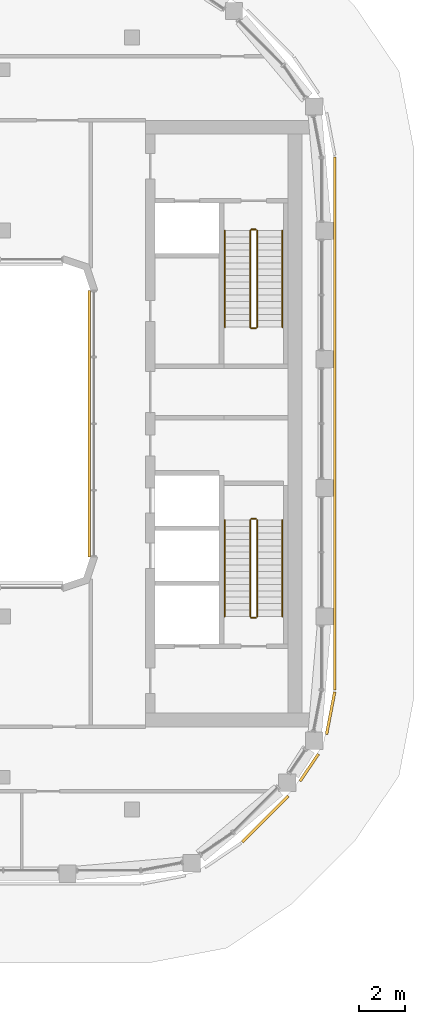
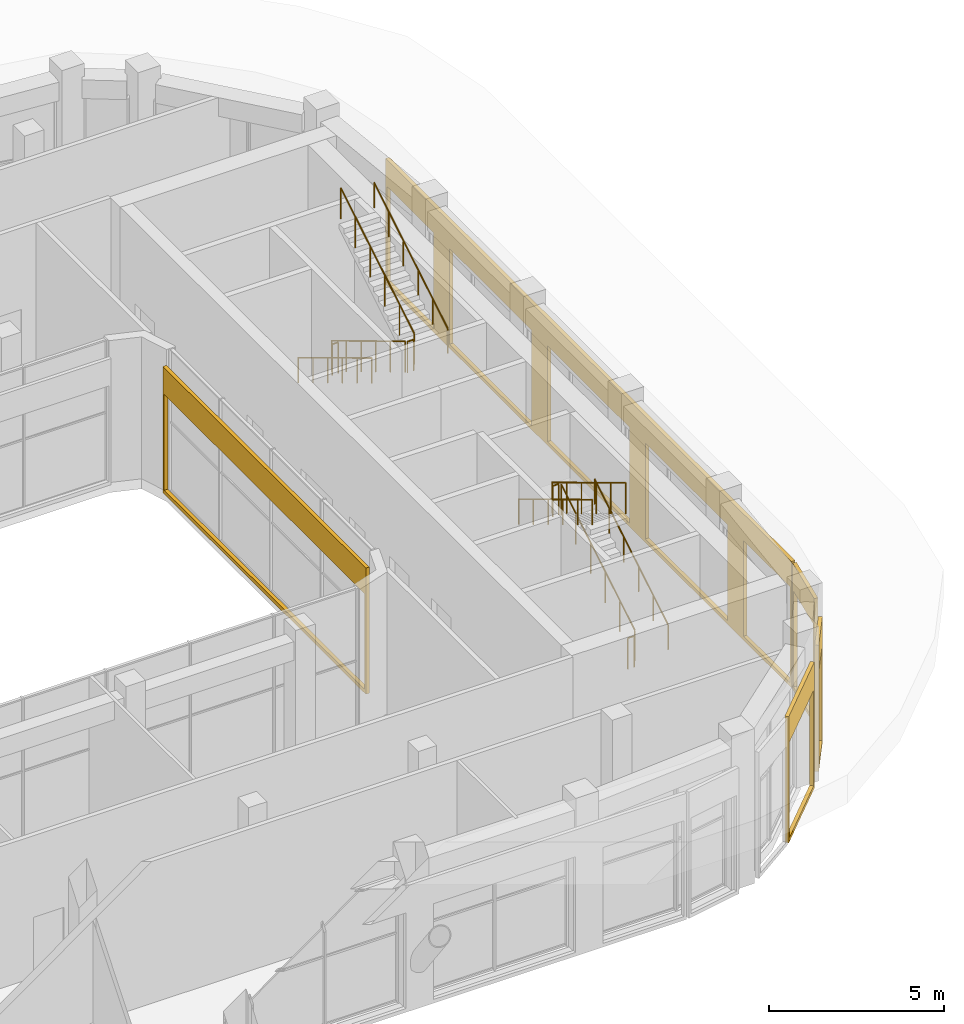
# One storey, part 23 of 24: 12 railings, 5 coverings.
"""IFC4 building model written with IfcOpenShell, lengths in metres."""

from ifc_helpers import new_model, si_unit, direction, frame, origin, origin_2d, place, context, subcontext, project, spatial, polyline, circle, outline, extrude, material, layer, layer_set, type_object, element, save


model = new_model("IFC4")

# Units and contexts
model_context = context("Model", 3, precision=1e-05, world=origin(), true_north=direction((0.0, 1.0)))
body_context = subcontext(model_context, "Body", "Model", "MODEL_VIEW")
ifc_project = project(units=[si_unit("LENGTHUNIT", "METRE"), si_unit("AREAUNIT", "SQUARE_METRE"), si_unit("VOLUMEUNIT", "CUBIC_METRE"), si_unit("PLANEANGLEUNIT", "RADIAN"), si_unit("MASSUNIT", "GRAM", prefix="KILO")], contexts=[model_context])

# Site, building, storey
site_placement = place(None, origin())
site = spatial("IfcSite", under=ifc_project, at=site_placement, CompositionType="ELEMENT")
building_placement = place(site_placement, origin())
building = spatial("IfcBuilding", under=site, at=building_placement, Name="Kiln Ring Residences", CompositionType="ELEMENT")
storey_placement = place(building_placement, frame((0.0, 0.0, 283.699951171875)))
storey = spatial("IfcBuildingStorey", under=building, at=storey_placement, Name="L74", CompositionType="ELEMENT", Elevation=283.699951171875)

# Railings
ifc_material_1 = material(Name="Stainless steel", Category="steel")
railing_type_1 = type_object("IfcRailingType", Name="CORE-STAIR-GUARD", PredefinedType="GUARDRAIL", material=ifc_material_1)
railing_1_placement = place(storey_placement, frame((21.949951171875, 8.39990234375, 0.168701171875)))
element("IfcRailing", 1, at=railing_1_placement, inside=storey, type_object=railing_type_1, Name="L74 E-STN stair guard 1", PredefinedType="GUARDRAIL", context=body_context, shape_type="SweptSolid", body=[
    extrude(circle(Radius=0.02392578125, at=origin_2d()), frame((0.0, 0.0, 1.076171875), z_axis=(0.0, -0.856476492594, 0.516186030065), x_axis=(1.0, 0.0, 0.0)), (0.0, 0.0, 1.0), 4.90380859375),
    extrude(circle(Radius=0.02099609375, at=origin_2d()), origin(), (0.0, 0.0, 1.0), 1.052001953125),
    extrude(circle(Radius=0.02099609375, at=origin_2d()), frame((0.0, -0.840087890625, 0.50634765625)), (0.0, 0.0, 1.0), 1.052001953125),
    extrude(circle(Radius=0.02099609375, at=origin_2d()), frame((0.0, -1.679931640625, 1.012451171875)), (0.0, 0.0, 1.0), 1.052001953125),
    extrude(circle(Radius=0.02099609375, at=origin_2d()), frame((0.0, -2.52001953125, 1.518798828125)), (0.0, 0.0, 1.0), 1.052001953125),
    extrude(circle(Radius=0.02099609375, at=origin_2d()), frame((0.0, -3.35986328125, 2.02490234375)), (0.0, 0.0, 1.0), 1.052001953125),
    extrude(circle(Radius=0.02099609375, at=origin_2d()), frame((0.0, -4.199951171875, 2.53125)), (0.0, 0.0, 1.0), 1.052001953125),
])
railing_2_placement = place(storey_placement, frame((22.0, 4.14990234375, 2.699951171875)))
element("IfcRailing", 2, at=railing_2_placement, inside=storey, type_object=railing_type_1, Name="L74 E-STN stair guard 2", PredefinedType="GUARDRAIL", context=body_context, shape_type="SweptSolid", body=[
    extrude(circle(Radius=0.02392578125, at=origin_2d()), frame((0.0, 0.0, 1.076171875), z_axis=(1.0, 0.0, 0.0), x_axis=(0.0, 1.0, 0.0)), (0.0, 0.0, 1.0), 0.199951171875),
    extrude(circle(Radius=0.02099609375, at=origin_2d()), origin(), (0.0, 0.0, 1.0), 1.052001953125),
    extrude(circle(Radius=0.02099609375, at=origin_2d()), frame((0.199951171875, 0.0, 0.0)), (0.0, 0.0, 1.0), 1.052001953125),
])
railing_3_placement = place(storey_placement, frame((22.25, 4.199951171875, 2.868896484375)))
element("IfcRailing", 3, at=railing_3_placement, inside=storey, type_object=railing_type_1, Name="L74 E-STN stair guard 3", PredefinedType="GUARDRAIL", context=body_context, shape_type="SweptSolid", body=[
    extrude(circle(Radius=0.02392578125, at=origin_2d()), frame((0.0, 0.0, 1.076171875), z_axis=(0.0, 0.856476492594, 0.516186030065), x_axis=(-1.0, 0.0, 0.0)), (0.0, 0.0, 1.0), 4.90380859375),
    extrude(circle(Radius=0.02099609375, at=origin_2d()), origin(), (0.0, 0.0, 1.0), 1.052001953125),
    extrude(circle(Radius=0.02099609375, at=origin_2d()), frame((0.0, 0.840087890625, 0.50634765625)), (0.0, 0.0, 1.0), 1.052001953125),
    extrude(circle(Radius=0.02099609375, at=origin_2d()), frame((0.0, 1.679931640625, 1.012451171875)), (0.0, 0.0, 1.0), 1.052001953125),
    extrude(circle(Radius=0.02099609375, at=origin_2d()), frame((0.0, 2.52001953125, 1.518798828125)), (0.0, 0.0, 1.0), 1.052001953125),
    extrude(circle(Radius=0.02099609375, at=origin_2d()), frame((0.0, 3.35986328125, 2.02490234375)), (0.0, 0.0, 1.0), 1.052001953125),
    extrude(circle(Radius=0.02099609375, at=origin_2d()), frame((0.0, 4.199951171875, 2.53125)), (0.0, 0.0, 1.0), 1.052001953125),
])
railing_4_placement = place(storey_placement, frame((22.0, 8.449951171875, 0.0)))
element("IfcRailing", 4, at=railing_4_placement, inside=storey, type_object=railing_type_1, Name="L74 E-STN stair guard 4", PredefinedType="GUARDRAIL", context=body_context, shape_type="SweptSolid", body=[
    extrude(circle(Radius=0.02392578125, at=origin_2d()), frame((0.0, 0.0, 1.076171875), z_axis=(1.0, 0.0, 0.0), x_axis=(0.0, 1.0, 0.0)), (0.0, 0.0, 1.0), 0.199951171875),
    extrude(circle(Radius=0.02099609375, at=origin_2d()), origin(), (0.0, 0.0, 1.0), 1.052001953125),
    extrude(circle(Radius=0.02099609375, at=origin_2d()), frame((0.199951171875, 0.0, 0.0)), (0.0, 0.0, 1.0), 1.052001953125),
])
railing_5_placement = place(storey_placement, frame((22.25, -8.39990234375, 0.168701171875)))
element("IfcRailing", 5, at=railing_5_placement, inside=storey, type_object=railing_type_1, Name="L74 E-STS stair guard 1", PredefinedType="GUARDRAIL", context=body_context, shape_type="SweptSolid", body=[
    extrude(circle(Radius=0.02392578125, at=origin_2d()), frame((0.0, 0.0, 1.076171875), z_axis=(0.0, 0.856476492594, 0.516186030065), x_axis=(-1.0, 0.0, 0.0)), (0.0, 0.0, 1.0), 4.90380859375),
    extrude(circle(Radius=0.02099609375, at=origin_2d()), origin(), (0.0, 0.0, 1.0), 1.052001953125),
    extrude(circle(Radius=0.02099609375, at=origin_2d()), frame((0.0, 0.840087890625, 0.50634765625)), (0.0, 0.0, 1.0), 1.052001953125),
    extrude(circle(Radius=0.02099609375, at=origin_2d()), frame((0.0, 1.679931640625, 1.012451171875)), (0.0, 0.0, 1.0), 1.052001953125),
    extrude(circle(Radius=0.02099609375, at=origin_2d()), frame((0.0, 2.52001953125, 1.518798828125)), (0.0, 0.0, 1.0), 1.052001953125),
    extrude(circle(Radius=0.02099609375, at=origin_2d()), frame((0.0, 3.35986328125, 2.02490234375)), (0.0, 0.0, 1.0), 1.052001953125),
    extrude(circle(Radius=0.02099609375, at=origin_2d()), frame((0.0, 4.199951171875, 2.53125)), (0.0, 0.0, 1.0), 1.052001953125),
])
railing_6_placement = place(storey_placement, frame((22.199951171875, -4.14990234375, 2.699951171875)))
element("IfcRailing", 6, at=railing_6_placement, inside=storey, type_object=railing_type_1, Name="L74 E-STS stair guard 2", PredefinedType="GUARDRAIL", context=body_context, shape_type="SweptSolid", body=[
    extrude(circle(Radius=0.02392578125, at=origin_2d()), frame((0.0, 0.0, 1.076171875), z_axis=(-1.0, 0.0, 0.0), x_axis=(0.0, -1.0, 0.0)), (0.0, 0.0, 1.0), 0.199951171875),
    extrude(circle(Radius=0.02099609375, at=origin_2d()), origin(), (0.0, 0.0, 1.0), 1.052001953125),
    extrude(circle(Radius=0.02099609375, at=origin_2d()), frame((-0.199951171875, 0.0, 0.0)), (0.0, 0.0, 1.0), 1.052001953125),
])
railing_7_placement = place(storey_placement, frame((21.949951171875, -4.199951171875, 2.868896484375)))
element("IfcRailing", 7, at=railing_7_placement, inside=storey, type_object=railing_type_1, Name="L74 E-STS stair guard 3", PredefinedType="GUARDRAIL", context=body_context, shape_type="SweptSolid", body=[
    extrude(circle(Radius=0.02392578125, at=origin_2d()), frame((0.0, 0.0, 1.076171875), z_axis=(0.0, -0.856476492594, 0.516186030065), x_axis=(1.0, 0.0, 0.0)), (0.0, 0.0, 1.0), 4.90380859375),
    extrude(circle(Radius=0.02099609375, at=origin_2d()), origin(), (0.0, 0.0, 1.0), 1.052001953125),
    extrude(circle(Radius=0.02099609375, at=origin_2d()), frame((0.0, -0.840087890625, 0.50634765625)), (0.0, 0.0, 1.0), 1.052001953125),
    extrude(circle(Radius=0.02099609375, at=origin_2d()), frame((0.0, -1.679931640625, 1.012451171875)), (0.0, 0.0, 1.0), 1.052001953125),
    extrude(circle(Radius=0.02099609375, at=origin_2d()), frame((0.0, -2.52001953125, 1.518798828125)), (0.0, 0.0, 1.0), 1.052001953125),
    extrude(circle(Radius=0.02099609375, at=origin_2d()), frame((0.0, -3.35986328125, 2.02490234375)), (0.0, 0.0, 1.0), 1.052001953125),
    extrude(circle(Radius=0.02099609375, at=origin_2d()), frame((0.0, -4.199951171875, 2.53125)), (0.0, 0.0, 1.0), 1.052001953125),
])
railing_8_placement = place(storey_placement, frame((22.199951171875, -8.449951171875, 0.0)))
element("IfcRailing", 8, at=railing_8_placement, inside=storey, type_object=railing_type_1, Name="L74 E-STS stair guard 4", PredefinedType="GUARDRAIL", context=body_context, shape_type="SweptSolid", body=[
    extrude(circle(Radius=0.02392578125, at=origin_2d()), frame((0.0, 0.0, 1.076171875), z_axis=(-1.0, 0.0, 0.0), x_axis=(0.0, -1.0, 0.0)), (0.0, 0.0, 1.0), 0.199951171875),
    extrude(circle(Radius=0.02099609375, at=origin_2d()), origin(), (0.0, 0.0, 1.0), 1.052001953125),
    extrude(circle(Radius=0.02099609375, at=origin_2d()), frame((-0.199951171875, 0.0, 0.0)), (0.0, 0.0, 1.0), 1.052001953125),
])
ifc_material_2 = material(Name="Stainless steel", Category="steel")
railing_type_2 = type_object("IfcRailingType", Name="CORE-STAIR-HANDRAIL", PredefinedType="HANDRAIL", material=ifc_material_2)
railing_9_placement = place(storey_placement, frame((20.85009765625, 8.39990234375, 0.168701171875)))
element("IfcRailing", 9, at=railing_9_placement, inside=storey, type_object=railing_type_2, Name="L74 E-STN stair handrail 1", PredefinedType="HANDRAIL", context=body_context, shape_type="SweptSolid", body=[
    extrude(circle(Radius=0.02392578125, at=origin_2d()), frame((0.0, 0.0, 0.8759765625), z_axis=(0.0, -0.856476492594, 0.516186030065), x_axis=(1.0, 0.0, 0.0)), (0.0, 0.0, 1.0), 4.90380859375),
    extrude(circle(Radius=0.02099609375, at=origin_2d()), origin(), (0.0, 0.0, 1.0), 0.851806640625),
    extrude(circle(Radius=0.02099609375, at=origin_2d()), frame((0.0, -0.840087890625, 0.50634765625)), (0.0, 0.0, 1.0), 0.851806640625),
    extrude(circle(Radius=0.02099609375, at=origin_2d()), frame((0.0, -1.679931640625, 1.012451171875)), (0.0, 0.0, 1.0), 0.851806640625),
    extrude(circle(Radius=0.02099609375, at=origin_2d()), frame((0.0, -2.52001953125, 1.518798828125)), (0.0, 0.0, 1.0), 0.851806640625),
    extrude(circle(Radius=0.02099609375, at=origin_2d()), frame((0.0, -3.35986328125, 2.02490234375)), (0.0, 0.0, 1.0), 0.851806640625),
    extrude(circle(Radius=0.02099609375, at=origin_2d()), frame((0.0, -4.199951171875, 2.53125)), (0.0, 0.0, 1.0), 0.851806640625),
])
for number, where, name in (
    (10, (23.35009765625, 4.199951171875, 2.868896484375), "L74 E-STN stair handrail 2"),
    (11, (23.35009765625, -8.39990234375, 0.168701171875), "L74 E-STS stair handrail 1"),
):
    element("IfcRailing", number, at=place(storey_placement, frame(where)), inside=storey, type_object=railing_type_2, Name=name, PredefinedType="HANDRAIL", context=body_context, shape_type="SweptSolid", body=[
        extrude(circle(Radius=0.02392578125, at=origin_2d()), frame((0.0, 0.0, 0.8759765625), z_axis=(0.0, 0.856476492594, 0.516186030065), x_axis=(-1.0, 0.0, 0.0)), (0.0, 0.0, 1.0), 4.90380859375),
        extrude(circle(Radius=0.02099609375, at=origin_2d()), origin(), (0.0, 0.0, 1.0), 0.851806640625),
        extrude(circle(Radius=0.02099609375, at=origin_2d()), frame((0.0, 0.840087890625, 0.50634765625)), (0.0, 0.0, 1.0), 0.851806640625),
        extrude(circle(Radius=0.02099609375, at=origin_2d()), frame((0.0, 1.679931640625, 1.012451171875)), (0.0, 0.0, 1.0), 0.851806640625),
        extrude(circle(Radius=0.02099609375, at=origin_2d()), frame((0.0, 2.52001953125, 1.518798828125)), (0.0, 0.0, 1.0), 0.851806640625),
        extrude(circle(Radius=0.02099609375, at=origin_2d()), frame((0.0, 3.35986328125, 2.02490234375)), (0.0, 0.0, 1.0), 0.851806640625),
        extrude(circle(Radius=0.02099609375, at=origin_2d()), frame((0.0, 4.199951171875, 2.53125)), (0.0, 0.0, 1.0), 0.851806640625),
    ])
railing_10_placement = place(storey_placement, frame((20.85009765625, -4.199951171875, 2.868896484375)))
element("IfcRailing", 12, at=railing_10_placement, inside=storey, type_object=railing_type_2, Name="L74 E-STS stair handrail 2", PredefinedType="HANDRAIL", context=body_context, shape_type="SweptSolid", body=[
    extrude(circle(Radius=0.02392578125, at=origin_2d()), frame((0.0, 0.0, 0.8759765625), z_axis=(0.0, -0.856476492594, 0.516186030065), x_axis=(1.0, 0.0, 0.0)), (0.0, 0.0, 1.0), 4.90380859375),
    extrude(circle(Radius=0.02099609375, at=origin_2d()), origin(), (0.0, 0.0, 1.0), 0.851806640625),
    extrude(circle(Radius=0.02099609375, at=origin_2d()), frame((0.0, -0.840087890625, 0.50634765625)), (0.0, 0.0, 1.0), 0.851806640625),
    extrude(circle(Radius=0.02099609375, at=origin_2d()), frame((0.0, -1.679931640625, 1.012451171875)), (0.0, 0.0, 1.0), 0.851806640625),
    extrude(circle(Radius=0.02099609375, at=origin_2d()), frame((0.0, -2.52001953125, 1.518798828125)), (0.0, 0.0, 1.0), 0.851806640625),
    extrude(circle(Radius=0.02099609375, at=origin_2d()), frame((0.0, -3.35986328125, 2.02490234375)), (0.0, 0.0, 1.0), 0.851806640625),
    extrude(circle(Radius=0.02099609375, at=origin_2d()), frame((0.0, -4.199951171875, 2.53125)), (0.0, 0.0, 1.0), 0.851806640625),
])

# Coverings
ifc_material_3 = material(Name="Brick masonry, dark clay brick", Category="masonry")
ifc_layer = layer(ifc_material_3, 0.1201171875)
ifc_layer_set = layer_set([ifc_layer], Name="RAINSCREEN PANEL 120")
covering_type = type_object("IfcCoveringType", Name="RAINSCREEN PANEL 120", PredefinedType="CLADDING", material=ifc_layer_set)
covering_1_placement = place(storey_placement, frame((21.604736328125, -18.21044921875, 0.0), z_axis=(0.0, 0.0, 1.0), x_axis=(0.707106781187, 0.707106781187, 0.0)))
element("IfcCovering", 13, at=covering_1_placement, inside=storey, type_object=covering_type, Name="RAINSCREEN L74", PredefinedType="CLADDING", context=body_context, shape_type="SweptSolid", body=[
    extrude(outline(polyline([(0.0, 0.0), (2.824951171875, 0.0), (2.824951171875, 4.400146484375), (0.0, 4.400146484375), (0.0, 0.0)]), holes=[polyline([(0.080078125, 3.469970703125), (0.080078125, 0.130126953125), (2.7451171875, 0.130126953125), (2.7451171875, 3.469970703125), (0.080078125, 3.469970703125)])]), frame((0.0, 0.06005859375, 0.0), z_axis=(0.0, -1.0, 0.0), x_axis=(1.0, 0.0, 0.0)), (0.0, 0.0, 1.0), 0.1201171875),
])
covering_2_placement = place(storey_placement, frame((24.117919921875, -15.566162109375, 0.0), z_axis=(0.0, 0.0, 1.0), x_axis=(0.562099454787, 0.827069648173, 0.0)))
element("IfcCovering", 14, at=covering_2_placement, inside=storey, type_object=covering_type, Name="RAINSCREEN L74", PredefinedType="CLADDING", context=body_context, shape_type="SweptSolid", body=[
    extrude(outline(polyline([(0.0, 0.0), (1.427001953125, 0.0), (1.427001953125, 4.400146484375), (0.0, 4.400146484375), (0.0, 0.0)]), holes=[polyline([(0.080078125, 3.469970703125), (0.080078125, 0.130126953125), (1.34716796875, 0.130126953125), (1.34716796875, 3.469970703125), (0.080078125, 3.469970703125)])]), frame((0.0, 0.06005859375, 0.0), z_axis=(0.0, -1.0, 0.0), x_axis=(1.0, 0.0, 0.0)), (0.0, 0.0, 1.0), 0.1201171875),
])
covering_3_placement = place(storey_placement, frame((25.27490234375, -13.529296875, 0.0), z_axis=(0.0, 0.0, 1.0), x_axis=(0.187273123953, 0.982307883021, 0.0)))
element("IfcCovering", 15, at=covering_3_placement, inside=storey, type_object=covering_type, Name="RAINSCREEN L74", PredefinedType="CLADDING", context=body_context, shape_type="SweptSolid", body=[
    extrude(outline(polyline([(0.0, 0.0), (1.881103515625, 0.0), (1.881103515625, 4.400146484375), (0.0, 4.400146484375), (0.0, 0.0)]), holes=[polyline([(0.080078125, 3.469970703125), (0.080078125, 0.130126953125), (1.801025390625, 0.130126953125), (1.801025390625, 3.469970703125), (0.080078125, 3.469970703125)])]), frame((0.0, 0.06005859375, 0.0), z_axis=(0.0, -1.0, 0.0), x_axis=(1.0, 0.0, 0.0)), (0.0, 0.0, 1.0), 0.1201171875),
])
covering_4_placement = place(storey_placement, frame((25.635009765625, -11.60009765625, 0.0), z_axis=(0.0, 0.0, 1.0), x_axis=(0.0, 1.0, 0.0)))
element("IfcCovering", 16, at=covering_4_placement, inside=storey, type_object=covering_type, Name="RAINSCREEN L74", PredefinedType="CLADDING", context=body_context, shape_type="SweptSolid", body=[
    extrude(outline(polyline([(0.0, 0.0), (23.199951171875, 0.0), (23.199951171875, 4.400146484375), (0.0, 4.400146484375), (0.0, 0.0)]), holes=[polyline([(2.7451171875, 0.130126953125), (2.7451171875, 3.469970703125), (0.080078125, 3.469970703125), (0.080078125, 0.130126953125), (2.7451171875, 0.130126953125)]), polyline([(8.344970703125, 0.130126953125), (8.344970703125, 3.469970703125), (3.655029296875, 3.469970703125), (3.655029296875, 0.130126953125), (8.344970703125, 0.130126953125)]), polyline([(13.945068359375, 0.130126953125), (13.945068359375, 3.469970703125), (9.2548828125, 3.469970703125), (9.2548828125, 0.130126953125), (13.945068359375, 0.130126953125)]), polyline([(14.85498046875, 0.130126953125), (19.544921875, 0.130126953125), (19.544921875, 3.469970703125), (14.85498046875, 3.469970703125), (14.85498046875, 0.130126953125)]), polyline([(20.455078125, 0.130126953125), (23.1201171875, 0.130126953125), (23.1201171875, 3.469970703125), (20.455078125, 3.469970703125), (20.455078125, 0.130126953125)])]), frame((0.0, 0.06005859375, 0.0), z_axis=(0.0, -1.0, 0.0), x_axis=(1.0, 0.0, 0.0)), (0.0, 0.0, 1.0), 0.1201171875),
])
covering_5_placement = place(storey_placement, frame((14.93994140625, 5.800048828125, 0.0), z_axis=(0.0, 0.0, 1.0), x_axis=(0.0, -1.0, 0.0)))
element("IfcCovering", 17, at=covering_5_placement, inside=storey, type_object=covering_type, Name="RAINSCREEN L74", PredefinedType="CLADDING", context=body_context, shape_type="SweptSolid", body=[
    extrude(outline(polyline([(0.0, 0.0), (11.60009765625, 0.0), (11.60009765625, 4.400146484375), (0.0, 4.400146484375), (0.0, 0.0)]), holes=[polyline([(0.080078125, 3.469970703125), (0.080078125, 0.130126953125), (11.52001953125, 0.130126953125), (11.52001953125, 3.469970703125), (0.080078125, 3.469970703125)])]), frame((0.0, 0.06005859375, 0.0), z_axis=(0.0, -1.0, 0.0), x_axis=(1.0, 0.0, 0.0)), (0.0, 0.0, 1.0), 0.1201171875),
])

save(model, "model.ifc")
